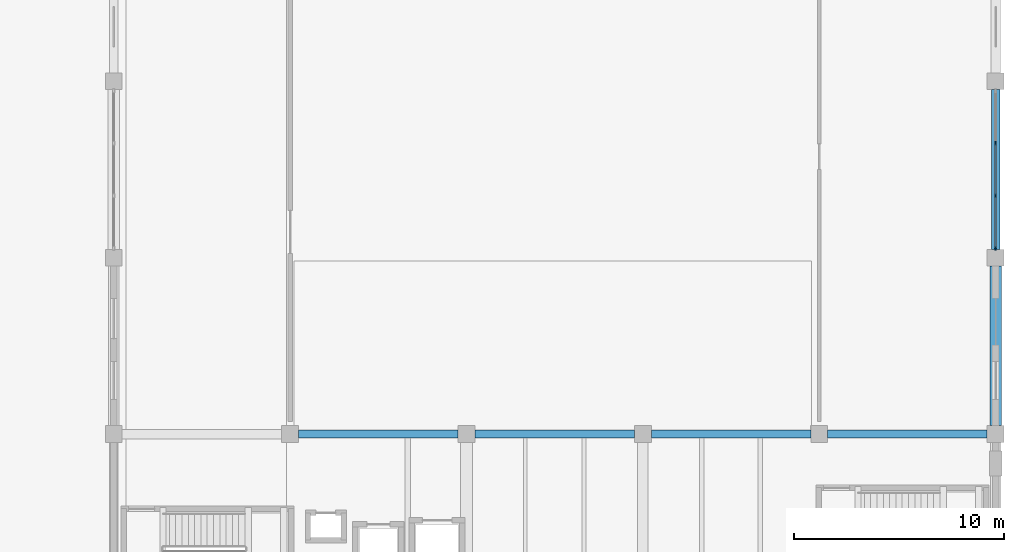
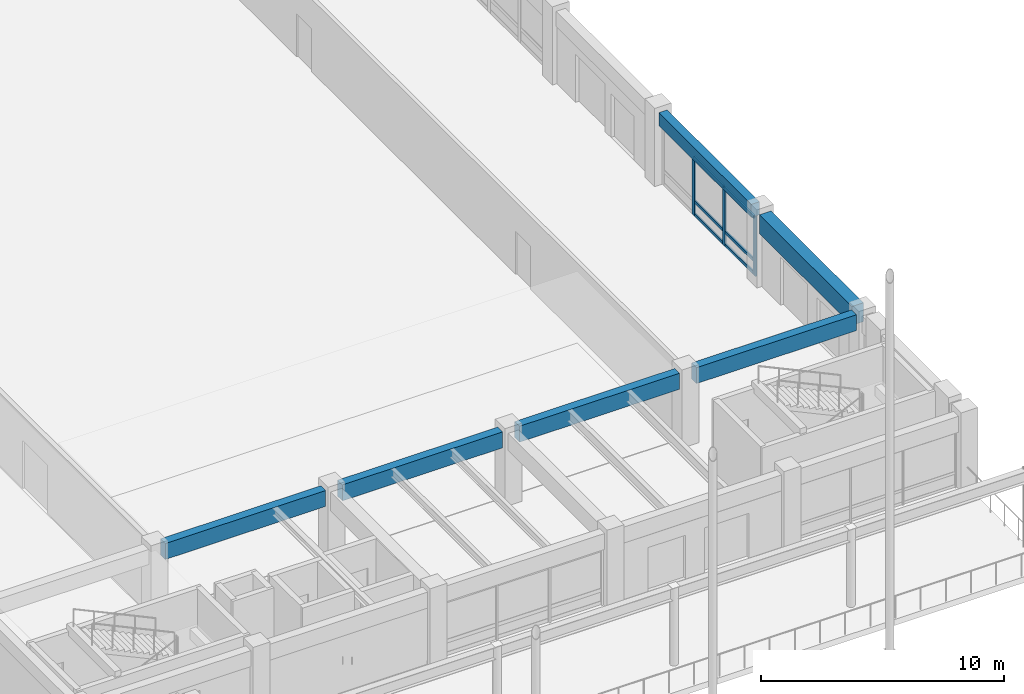
# One storey, part 53 of 135: 9 members, 6 beams, 1 element without a shape of its own.
"""IFC4 building model written with IfcOpenShell, lengths in metres."""

import ifcopenshell
import ifcopenshell.guid

model = None  # the IFC model being written
_history = None  # IfcOwnerHistory: only IFC2X3 demands one
_inside = {}  # id of a spatial element -> (the spatial element, [elements in it])
_under = {}  # id of a project, library or spatial element -> (it, [spatial elements below it])
_declared = {}  # id of a project -> (the project, [libraries it declares])
_typed = {}  # id of a type object -> (the type object, [elements of that type])
_made_of = {}  # id of a material, layer set ... -> (it, [elements and type objects made of it])


def new_model(schema):
    """Start an empty IFC model of exactly this schema.

    Asked for "IFC4X3", IfcOpenShell would pick the latest addendum, in which some entities
    have other attributes; the version numbers below select the first issue.
    IFC2X3 requires an IfcOwnerHistory on every rooted entity: one is made here for all.
    """
    global model, _history
    if schema == "IFC4X3":
        model = ifcopenshell.file(schema_version=(4, 3, 0, 0))
    else:
        model = ifcopenshell.file(schema=schema)
    _inside.clear()
    _under.clear()
    _declared.clear()
    _typed.clear()
    _made_of.clear()
    _history = None
    if model.schema == "IFC2X3":
        org = make("IfcOrganization", Name="unknown")
        user = make(
            "IfcPersonAndOrganization",
            ThePerson=make("IfcPerson", FamilyName="unknown"),
            TheOrganization=org,
        )
        app = make(
            "IfcApplication",
            ApplicationDeveloper=org,
            Version="unknown",
            ApplicationFullName="unknown",
            ApplicationIdentifier="unknown",
        )
        _history = make(
            "IfcOwnerHistory",
            OwningUser=user,
            OwningApplication=app,
            ChangeAction="ADDED",
            CreationDate=0,
        )
    return model


def make(cls, **values):
    """One entity of the class cls with the attributes given. An attribute that is None is left unset."""
    return model.create_entity(
        cls, **{name: value for name, value in values.items() if value is not None}
    )


def rooted(cls, **values):
    """An entity with a GlobalId (a new one), such as an element, a storey or a relation."""
    return make(cls, GlobalId=ifcopenshell.guid.new(), OwnerHistory=_history, **values)


def si_unit(unit_type, name, prefix=None):
    """IfcSIUnit, for example si_unit("LENGTHUNIT", "METRE", prefix="MILLI")."""
    return make("IfcSIUnit", UnitType=unit_type, Prefix=prefix, Name=name)


def assignment(units):
    """IfcUnitAssignment: the units of a project."""
    return None if units is None else make("IfcUnitAssignment", Units=units)


def point(xyz):
    """IfcCartesianPoint."""
    return None if xyz is None else make("IfcCartesianPoint", Coordinates=xyz)


def direction(xyz):
    """IfcDirection."""
    return None if xyz is None else make("IfcDirection", DirectionRatios=xyz)


def frame(location, z_axis=None, x_axis=None):
    """IfcAxis2Placement3D, a coordinate frame: its origin and axes. An axis left out is left unset."""
    return make(
        "IfcAxis2Placement3D",
        Location=point(location),
        Axis=direction(z_axis),
        RefDirection=direction(x_axis),
    )


def frame_2d(location, x_axis=None):
    """IfcAxis2Placement2D, a coordinate frame in the plane: its origin and x axis."""
    return make(
        "IfcAxis2Placement2D", Location=point(location), RefDirection=direction(x_axis)
    )


def origin():
    """The frame at (0, 0, 0) with its axes left unset."""
    return frame((0.0, 0.0, 0.0))


def origin_2d():
    """The frame at (0, 0) in the plane with its x axis left unset."""
    return frame_2d((0.0, 0.0))


def place(relative_to, where):
    """IfcLocalPlacement: puts the frame where relative to a parent placement (None: the world)."""
    return make(
        "IfcLocalPlacement", PlacementRelTo=relative_to, RelativePlacement=where
    )


def context(
    kind, dimensions, precision=None, world=None, true_north=None, identifier=None
):
    """IfcGeometricRepresentationContext, for example the 3D "Model" context."""
    return make(
        "IfcGeometricRepresentationContext",
        ContextIdentifier=identifier,
        ContextType=kind,
        CoordinateSpaceDimension=dimensions,
        Precision=precision,
        WorldCoordinateSystem=world,
        TrueNorth=true_north,
    )


def subcontext(parent, identifier, kind, view, scale=None):
    """IfcGeometricRepresentationSubContext, for example "Body" below "Model"."""
    return make(
        "IfcGeometricRepresentationSubContext",
        ContextIdentifier=identifier,
        ContextType=kind,
        ParentContext=parent,
        TargetScale=scale,
        TargetView=view,
    )


def project(units=None, contexts=None):
    """IfcProject with its units and contexts."""
    return rooted(
        "IfcProject",
        Name="project",
        RepresentationContexts=contexts,
        UnitsInContext=assignment(units),
    )


def spatial(cls, under=None, at=None, **own):
    """A site, building, storey or space (cls), placed at a placement, below another one or the project."""
    s = rooted(cls, ObjectPlacement=at, **own)
    if under is not None:
        _under.setdefault(under.id(), (under, []))[1].append(s)
    return s


def profile(cls, at=None, kind="AREA", **sizes):
    """A parametric profile (cls). Its sizes go by their IFC names, for example OverallWidth=200.0."""
    return make(cls, ProfileType=kind, Position=at, **sizes)


def rectangle(**sizes):
    """IfcRectangleProfileDef."""
    return profile("IfcRectangleProfileDef", **sizes)


def extrude(swept, where, along, depth):
    """IfcExtrudedAreaSolid: the profile swept, set in the frame where, extruded along a direction by depth."""
    return make(
        "IfcExtrudedAreaSolid",
        SweptArea=swept,
        Position=where,
        ExtrudedDirection=direction(along),
        Depth=depth,
    )


def shape(context_of_items, identifier, shape_type, items):
    """IfcShapeRepresentation: the items that make up one representation, for example the "Body"."""
    return make(
        "IfcShapeRepresentation",
        ContextOfItems=context_of_items,
        RepresentationIdentifier=identifier,
        RepresentationType=shape_type,
        Items=items,
    )


def material(Name=None, Category=None):
    """IfcMaterial."""
    return make("IfcMaterial", Name=Name, Category=Category)


def material_profile(
    of_material, cross_section, Name=None, Category=None, Priority=None
):
    """IfcMaterialProfile: a cross section and its material."""
    return make(
        "IfcMaterialProfile",
        Name=Name,
        Material=of_material,
        Profile=cross_section,
        Priority=Priority,
        Category=Category,
    )


def profile_set(profiles, Name=None, composite=None):
    """IfcMaterialProfileSet."""
    return make(
        "IfcMaterialProfileSet",
        Name=Name,
        MaterialProfiles=profiles,
        CompositeProfile=composite,
    )


def made_of(thing, what):
    """Note that an element or type object is made of a material, layer set ...; save() writes the relation."""
    if what is not None:
        _made_of.setdefault(what.id(), (what, []))[1].append(thing)
    return thing


def type_object(cls, material=None, **own):
    """A type object (cls), such as IfcWallType, which elements share."""
    return made_of(rooted(cls, **own), material)


def element(
    cls,
    number,
    at=None,
    inside=None,
    cuts=None,
    type_object=None,
    material=None,
    context=None,
    identifier="Body",
    shape_type=None,
    held_by="IfcProductDefinitionShape",
    body=None,
    shapes=None,
    **own,
):
    """One element of the class cls, such as IfcWall. Its Tag is "e" and its number.

    at: its placement. inside: the storey or other place that contains it. cuts: it is an
    opening in that element (IfcRelVoidsElement). A single representation is given by context,
    identifier, shape_type and body (its items); several are given by shapes. held_by: the class
    of the entity that holds the representations. save() writes the other relations.
    """
    e = rooted(cls, Tag="e%d" % number, ObjectPlacement=at, **own)
    if body is not None:
        shapes = [shape(context, identifier, shape_type, body)]
    if shapes is not None:
        e.Representation = make(held_by, Representations=shapes)
    if inside is not None:
        _inside.setdefault(inside.id(), (inside, []))[1].append(e)
    if cuts is not None:
        rooted(
            "IfcRelVoidsElement", RelatingBuildingElement=cuts, RelatedOpeningElement=e
        )
    if type_object is not None:
        _typed.setdefault(type_object.id(), (type_object, []))[1].append(e)
    return made_of(e, material)


def aggregate(whole, parts):
    """IfcRelAggregates: a whole, such as a stair, and the parts it consists of."""
    return rooted("IfcRelAggregates", RelatingObject=whole, RelatedObjects=parts)


def save(model, path):
    """Write the relations noted so far, then the file.

    IfcRelAggregates (storeys below a building ...), IfcRelContainedInSpatialStructure (elements
    in a storey), IfcRelDefinesByType, IfcRelAssociatesMaterial and IfcRelDeclares: one each for
    every whole, place, type object, material and project.
    """
    for whole, parts in _under.values():
        aggregate(whole, parts)
    for where, things in _inside.values():
        rooted(
            "IfcRelContainedInSpatialStructure",
            RelatedElements=things,
            RelatingStructure=where,
        )
    for kind, things in _typed.values():
        rooted("IfcRelDefinesByType", RelatedObjects=things, RelatingType=kind)
    for what, things in _made_of.values():
        rooted("IfcRelAssociatesMaterial", RelatedObjects=things, RelatingMaterial=what)
    for by, libraries in _declared.values():
        rooted("IfcRelDeclares", RelatingContext=by, RelatedDefinitions=libraries)
    model.write(path)


model = new_model("IFC4")

# Units and contexts
model_context = context("Model", 3, precision=1e-05, world=origin(), true_north=direction((0.0, 1.0)))
body_context = subcontext(model_context, "Body", "Model", "MODEL_VIEW")
ifc_project = project(units=[si_unit("LENGTHUNIT", "METRE"), si_unit("AREAUNIT", "SQUARE_METRE"), si_unit("VOLUMEUNIT", "CUBIC_METRE"), si_unit("PLANEANGLEUNIT", "RADIAN"), si_unit("MASSUNIT", "GRAM", prefix="KILO")], contexts=[model_context])

# Site, building, storey
site_placement = place(None, origin())
site = spatial("IfcSite", under=ifc_project, at=site_placement, CompositionType="ELEMENT")
building_placement = place(site_placement, origin())
building = spatial("IfcBuilding", under=site, at=building_placement, Name="Cumbredor Promenade Congress Hotel", CompositionType="ELEMENT")
storey_placement = place(building_placement, origin())
storey = spatial("IfcBuildingStorey", under=building, at=storey_placement, Name="L00", CompositionType="ELEMENT", Elevation=0.0)

# Beams
ifc_material_1 = material(Name="Concrete C40/50", Category="concrete")
ifc_material_profile_1 = material_profile(ifc_material_1, rectangle(XDim=0.39990234375, YDim=0.64990234375, at=origin_2d()), Name="RC BEAM 400x650")
ifc_profile_set_1 = profile_set([ifc_material_profile_1], Name="Concrete C40/50")
beam_type_1 = type_object("IfcBeamType", Name="BM-RC-400x650", PredefinedType="BEAM", material=ifc_profile_set_1)
beam_1_placement = place(storey_placement, frame((184.800048828125, 25.60009765625, 3.31494140625), z_axis=(0.0, 1.0, 0.0), x_axis=(-1.0, 0.0, 0.0)))
element("IfcBeam", 1, at=beam_1_placement, inside=storey, type_object=beam_type_1, Name="L01 Y-Grid Beam 278", PredefinedType="BEAM", context=body_context, shape_type="SweptSolid", body=[
    extrude(rectangle(XDim=0.39990234375, YDim=0.64990234375, at=origin_2d()), origin(), (0.0, 0.0, 1.0), 7.599853515625),
])
ifc_material_profile_2 = material_profile(ifc_material_1, rectangle(XDim=0.550048828125, YDim=0.949951171875, at=origin_2d()), Name="RC BEAM 550x950")
ifc_profile_set_2 = profile_set([ifc_material_profile_2], Name="Concrete C40/50")
beam_type_2 = type_object("IfcBeamType", Name="BM-RC-550x950", PredefinedType="BEAM", material=ifc_profile_set_2)
beam_2_placement = place(storey_placement, frame((184.800048828125, 17.199951171875, 3.1650390625), z_axis=(0.0, 1.0, 0.0), x_axis=(-1.0, 0.0, 0.0)))
element("IfcBeam", 2, at=beam_2_placement, inside=storey, type_object=beam_type_2, Name="L01 Y-Grid Beam 277", PredefinedType="BEAM", context=body_context, shape_type="SweptSolid", body=[
    extrude(rectangle(XDim=0.550048828125, YDim=0.949951171875, at=origin_2d()), origin(), (0.0, 0.0, 1.0), 7.60009765625),
])

# Curtain wall, members
ifc_material_2 = material(Name="Thermally broken anodized aluminium and low-E glass", Category="aluminium")
curtain_wall_type = type_object("IfcCurtainWallType", Name="Unitised Grand Foyer Curtain Wall CW-04", PredefinedType="NOTDEFINED", material=ifc_material_2)
curtain_wall_placement = place(storey_placement, origin())
curtain_wall = element("IfcCurtainWall", 3, at=curtain_wall_placement, inside=storey, type_object=curtain_wall_type, Name="L00 Grand Ballroom Pavilion East Curtain Wall 3", PredefinedType="NOTDEFINED")
ifc_material_3 = material(Name="Thermally broken anodized aluminium", Category="aluminium")
ifc_material_profile_3 = material_profile(ifc_material_3, rectangle(XDim=0.074951171875, YDim=0.199951171875, at=origin_2d()), Name="ALU MULLION 75x200")
ifc_profile_set_3 = profile_set([ifc_material_profile_3], Name="Thermally broken anodized aluminium")
member_type_1 = type_object("IfcMemberType", Name="Curtain Wall Mullion ML-02", PredefinedType="MULLION", material=ifc_profile_set_3)
member_1_placement = place(storey_placement, frame((184.800048828125, 25.655029296875, -0.008056640625), z_axis=(0.0, 0.0, 1.0), x_axis=(1.0, 0.0, 0.0)))
member_1 = element("IfcMember", 4, at=member_1_placement, type_object=member_type_1, Name="L00 Grand Ballroom Pavilion East Curtain Wall 3 Mullion 1", PredefinedType="MULLION", context=body_context, shape_type="SweptSolid", body=[
    extrude(rectangle(XDim=0.074951171875, YDim=0.199951171875, at=origin_2d()), origin(), (0.0, 0.0, 1.0), 2.990966796875),
])
member_2_placement = place(storey_placement, frame((184.800048828125, 28.151611328125, -0.008056640625), z_axis=(0.0, 0.0, 1.0), x_axis=(1.0, 0.0, 0.0)))
member_2 = element("IfcMember", 5, at=member_2_placement, type_object=member_type_1, Name="L00 Grand Ballroom Pavilion East Curtain Wall 3 Mullion 2", PredefinedType="MULLION", context=body_context, shape_type="SweptSolid", body=[
    extrude(rectangle(XDim=0.074951171875, YDim=0.199951171875, at=origin_2d()), origin(), (0.0, 0.0, 1.0), 2.990966796875),
])
member_3_placement = place(storey_placement, frame((184.800048828125, 30.648193359375, -0.008056640625), z_axis=(0.0, 0.0, 1.0), x_axis=(1.0, 0.0, 0.0)))
member_3 = element("IfcMember", 6, at=member_3_placement, type_object=member_type_1, Name="L00 Grand Ballroom Pavilion East Curtain Wall 3 Mullion 3", PredefinedType="MULLION", context=body_context, shape_type="SweptSolid", body=[
    extrude(rectangle(XDim=0.074951171875, YDim=0.199951171875, at=origin_2d()), origin(), (0.0, 0.0, 1.0), 2.990966796875),
])
ifc_material_profile_4 = material_profile(ifc_material_3, rectangle(XDim=0.074951171875, YDim=0.14990234375, at=origin_2d()), Name="ALU TRANSOM 75x150")
ifc_profile_set_4 = profile_set([ifc_material_profile_4], Name="Thermally broken anodized aluminium")
member_type_2 = type_object("IfcMemberType", Name="Curtain Wall Transom TR-02", PredefinedType="USERDEFINED", material=ifc_profile_set_4)
member_4_placement = place(storey_placement, frame((184.800048828125, 25.6923828125, 0.070068359375), z_axis=(0.0, 1.0, 0.0), x_axis=(-1.0, 0.0, 0.0)))
member_4 = element("IfcMember", 7, at=member_4_placement, type_object=member_type_2, Name="L00 Grand Ballroom Pavilion East Curtain Wall 3 Transom 1.1", ObjectType="TRANSOM", PredefinedType="USERDEFINED", context=body_context, shape_type="SweptSolid", body=[
    extrude(rectangle(XDim=0.074951171875, YDim=0.14990234375, at=origin_2d()), origin(), (0.0, 0.0, 1.0), 2.421875),
])
member_5_placement = place(storey_placement, frame((184.800048828125, 25.6923828125, 0.719970703125), z_axis=(0.0, 1.0, 0.0), x_axis=(-1.0, 0.0, 0.0)))
member_5 = element("IfcMember", 8, at=member_5_placement, type_object=member_type_2, Name="L00 Grand Ballroom Pavilion East Curtain Wall 3 Transom 1.2", ObjectType="TRANSOM", PredefinedType="USERDEFINED", context=body_context, shape_type="SweptSolid", body=[
    extrude(rectangle(XDim=0.074951171875, YDim=0.14990234375, at=origin_2d()), origin(), (0.0, 0.0, 1.0), 2.421875),
])
member_6_placement = place(storey_placement, frame((184.800048828125, 25.6923828125, 2.89990234375), z_axis=(0.0, 1.0, 0.0), x_axis=(-1.0, 0.0, 0.0)))
member_6 = element("IfcMember", 9, at=member_6_placement, type_object=member_type_2, Name="L00 Grand Ballroom Pavilion East Curtain Wall 3 Transom 1.3", ObjectType="TRANSOM", PredefinedType="USERDEFINED", context=body_context, shape_type="SweptSolid", body=[
    extrude(rectangle(XDim=0.074951171875, YDim=0.14990234375, at=origin_2d()), origin(), (0.0, 0.0, 1.0), 2.421875),
])
member_7_placement = place(storey_placement, frame((184.800048828125, 28.189208984375, 0.070068359375), z_axis=(0.0, 1.0, 0.0), x_axis=(-1.0, 0.0, 0.0)))
member_7 = element("IfcMember", 10, at=member_7_placement, type_object=member_type_2, Name="L00 Grand Ballroom Pavilion East Curtain Wall 3 Transom 2.1", ObjectType="TRANSOM", PredefinedType="USERDEFINED", context=body_context, shape_type="SweptSolid", body=[
    extrude(rectangle(XDim=0.074951171875, YDim=0.14990234375, at=origin_2d()), origin(), (0.0, 0.0, 1.0), 2.421630859375),
])
member_8_placement = place(storey_placement, frame((184.800048828125, 28.189208984375, 0.719970703125), z_axis=(0.0, 1.0, 0.0), x_axis=(-1.0, 0.0, 0.0)))
member_8 = element("IfcMember", 11, at=member_8_placement, type_object=member_type_2, Name="L00 Grand Ballroom Pavilion East Curtain Wall 3 Transom 2.2", ObjectType="TRANSOM", PredefinedType="USERDEFINED", context=body_context, shape_type="SweptSolid", body=[
    extrude(rectangle(XDim=0.074951171875, YDim=0.14990234375, at=origin_2d()), origin(), (0.0, 0.0, 1.0), 2.421630859375),
])
member_9_placement = place(storey_placement, frame((184.800048828125, 28.189208984375, 2.89990234375), z_axis=(0.0, 1.0, 0.0), x_axis=(-1.0, 0.0, 0.0)))
member_9 = element("IfcMember", 12, at=member_9_placement, type_object=member_type_2, Name="L00 Grand Ballroom Pavilion East Curtain Wall 3 Transom 2.3", ObjectType="TRANSOM", PredefinedType="USERDEFINED", context=body_context, shape_type="SweptSolid", body=[
    extrude(rectangle(XDim=0.074951171875, YDim=0.14990234375, at=origin_2d()), origin(), (0.0, 0.0, 1.0), 2.421630859375),
])
aggregate(curtain_wall, [member_1, member_2, member_3, member_4, member_5, member_6, member_7, member_8, member_9])

# Beams
ifc_material_profile_5 = material_profile(ifc_material_1, rectangle(XDim=0.39990234375, YDim=0.800048828125, at=origin_2d()), Name="RC SPANDREL 400x800")
ifc_profile_set_5 = profile_set([ifc_material_profile_5], Name="Concrete C40/50")
beam_type_3 = type_object("IfcBeamType", Name="SP-RC-400x800", PredefinedType="SPANDREL", material=ifc_profile_set_5)
beam_3_placement = place(storey_placement, frame((151.60009765625, 16.800048828125, 3.239990234375), z_axis=(1.0, 0.0, 0.0), x_axis=(0.0, 1.0, 0.0)))
element("IfcBeam", 13, at=beam_3_placement, inside=storey, type_object=beam_type_3, Name="L01 X-Grid Beam 229", PredefinedType="SPANDREL", context=body_context, shape_type="SweptSolid", body=[
    extrude(rectangle(XDim=0.39990234375, YDim=0.800048828125, at=origin_2d()), origin(), (0.0, 0.0, 1.0), 7.599853515625),
])
for number, where, z_axis, x_axis, name in (
    (14, (160.0, 16.800048828125, 3.239990234375), (1.0, 0.0, 0.0), (0.0, 1.0, 0.0), "L01 X-Grid Beam 242"),
    (15, (168.39990234375, 16.800048828125, 3.239990234375), (1.0, 0.0, 0.0), (0.0, 1.0, 0.0), "L01 X-Grid Beam 257"),
):
    element("IfcBeam", number, at=place(storey_placement, frame(where, z_axis=z_axis, x_axis=x_axis)), inside=storey, type_object=beam_type_3, Name=name, PredefinedType="SPANDREL", context=body_context, shape_type="SweptSolid", body=[
        extrude(rectangle(XDim=0.39990234375, YDim=0.800048828125, at=origin_2d()), origin(), (0.0, 0.0, 1.0), 7.60009765625),
    ])
beam_4_placement = place(storey_placement, frame((176.800048828125, 16.800048828125, 3.239990234375), z_axis=(1.0, 0.0, 0.0), x_axis=(0.0, 1.0, 0.0)))
element("IfcBeam", 16, at=beam_4_placement, inside=storey, type_object=beam_type_3, Name="L01 X-Grid Beam 269", PredefinedType="SPANDREL", context=body_context, shape_type="SweptSolid", body=[
    extrude(rectangle(XDim=0.39990234375, YDim=0.800048828125, at=origin_2d()), origin(), (0.0, 0.0, 1.0), 7.599853515625),
])

save(model, "model.ifc")
